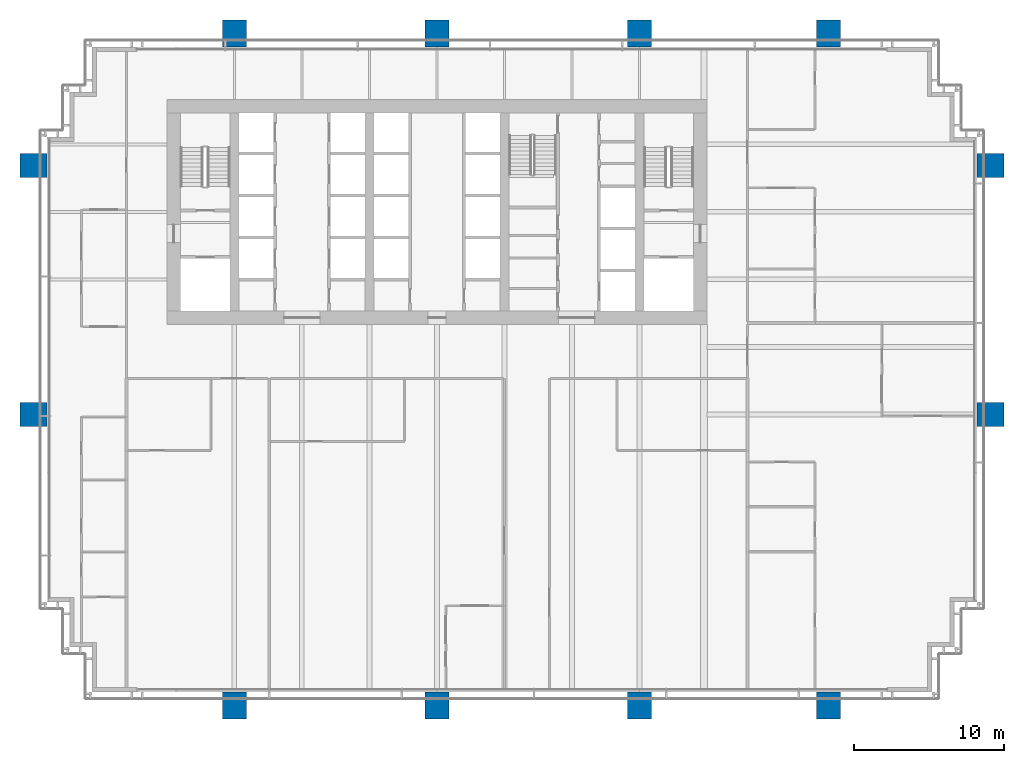
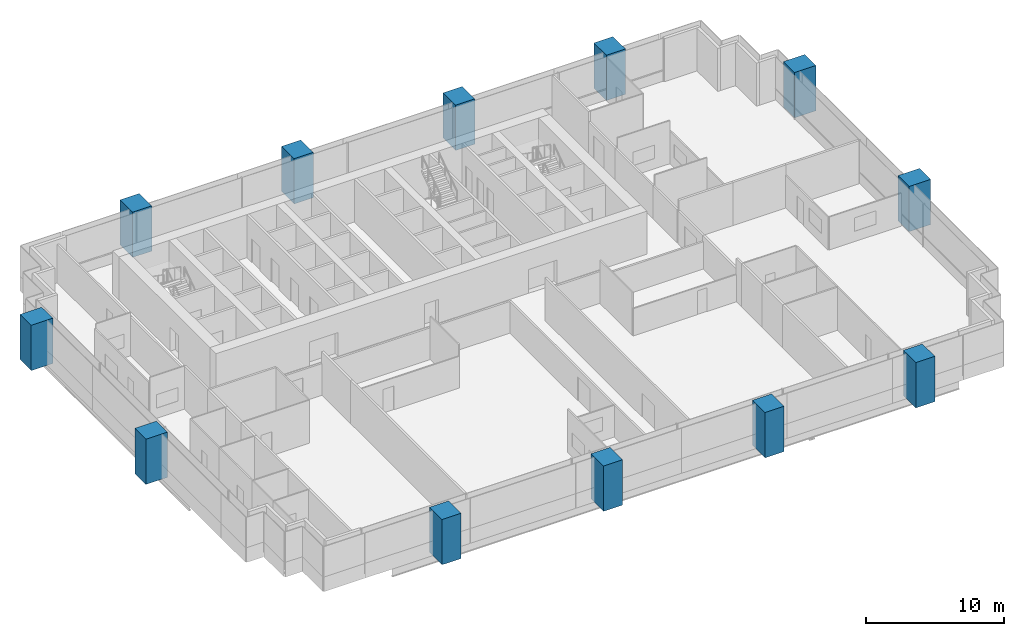
# One storey, part 1 of 19: 12 columns.
"""IFC4 building model written with IfcOpenShell, lengths in metres."""

from ifc_helpers import new_model, si_unit, direction, frame, origin, origin_2d, place, context, subcontext, project, spatial, rectangle, extrude, material, material_profile, profile_set, type_object, element, save


model = new_model("IFC4")

# Units and contexts
model_context = context("Model", 3, precision=1e-05, world=origin(), true_north=direction((0.0, 1.0)))
body_context = subcontext(model_context, "Body", "Model", "MODEL_VIEW")
ifc_project = project(units=[si_unit("LENGTHUNIT", "METRE"), si_unit("AREAUNIT", "SQUARE_METRE"), si_unit("VOLUMEUNIT", "CUBIC_METRE"), si_unit("PLANEANGLEUNIT", "RADIAN"), si_unit("MASSUNIT", "GRAM", prefix="KILO")], contexts=[model_context])

# Site, building, storey
site_placement = place(None, origin())
site = spatial("IfcSite", under=ifc_project, at=site_placement, CompositionType="ELEMENT")
building_placement = place(site_placement, origin())
building = spatial("IfcBuilding", under=site, at=building_placement, Name="Rattan Terrace Tower", CompositionType="ELEMENT")
storey_placement = place(building_placement, frame((0.0, 0.0, 99.699951171875)))
storey = spatial("IfcBuildingStorey", under=building, at=storey_placement, Name="L22", CompositionType="ELEMENT", Elevation=99.699951171875)

# Columns
ifc_material = material(Name="Concrete C60/75", Category="concrete")
ifc_material_profile = material_profile(ifc_material, rectangle(XDim=1.60009765625, YDim=1.800048828125, at=origin_2d()), Name="CFT 1800x1600")
ifc_profile_set = profile_set([ifc_material_profile], Name="Concrete C60/75")
column_type = type_object("IfcColumnType", Name="Frame exoskeleton column CFT 1800x1600", PredefinedType="COLUMN", material=ifc_profile_set)
for number, where, z_axis, x_axis, name in (
    (1, (-13.5, -32.89990234375, -0.199951171875), (0.0, 0.0, 1.0), (1.0, 0.0, 0.0), "exo-L22-001"),
    (2, (0.0, -32.89990234375, -0.199951171875), (0.0, 0.0, 1.0), (1.0, 0.0, 0.0), "exo-L22-002"),
    (3, (13.5, -32.89990234375, -0.199951171875), (0.0, 0.0, 1.0), (1.0, 0.0, 0.0), "exo-L22-003"),
    (4, (26.10009765625, -32.89990234375, -0.199951171875), (0.0, 0.0, 1.0), (1.0, 0.0, 0.0), "exo-L22-004"),
    (5, (-26.89990234375, -13.5, -0.199951171875), (0.0, 0.0, 1.0), (0.0, 1.0, 0.0), "exo-L22-005"),
    (6, (36.89990234375, -13.5, -0.199951171875), (0.0, 0.0, 1.0), (0.0, 1.0, 0.0), "exo-L22-006"),
    (7, (-26.89990234375, 3.10009765625, -0.199951171875), (0.0, 0.0, 1.0), (0.0, 1.0, 0.0), "exo-L22-007"),
    (8, (36.89990234375, 3.10009765625, -0.199951171875), (0.0, 0.0, 1.0), (0.0, 1.0, 0.0), "exo-L22-008"),
    (9, (-13.5, 11.89990234375, -0.199951171875), (0.0, 0.0, 1.0), (1.0, 0.0, 0.0), "exo-L22-009"),
    (10, (0.0, 11.89990234375, -0.199951171875), (0.0, 0.0, 1.0), (1.0, 0.0, 0.0), "exo-L22-010"),
    (11, (13.5, 11.89990234375, -0.199951171875), (0.0, 0.0, 1.0), (1.0, 0.0, 0.0), "exo-L22-011"),
    (12, (26.10009765625, 11.89990234375, -0.199951171875), (0.0, 0.0, 1.0), (1.0, 0.0, 0.0), "exo-L22-012"),
):
    element("IfcColumn", number, at=place(storey_placement, frame(where, z_axis=z_axis, x_axis=x_axis)), inside=storey, type_object=column_type, Name=name, PredefinedType="COLUMN", context=body_context, shape_type="SweptSolid", body=[
        extrude(rectangle(XDim=1.60009765625, YDim=1.800048828125, at=origin_2d()), origin(), (0.0, 0.0, 1.0), 4.0),
    ])

save(model, "model.ifc")
